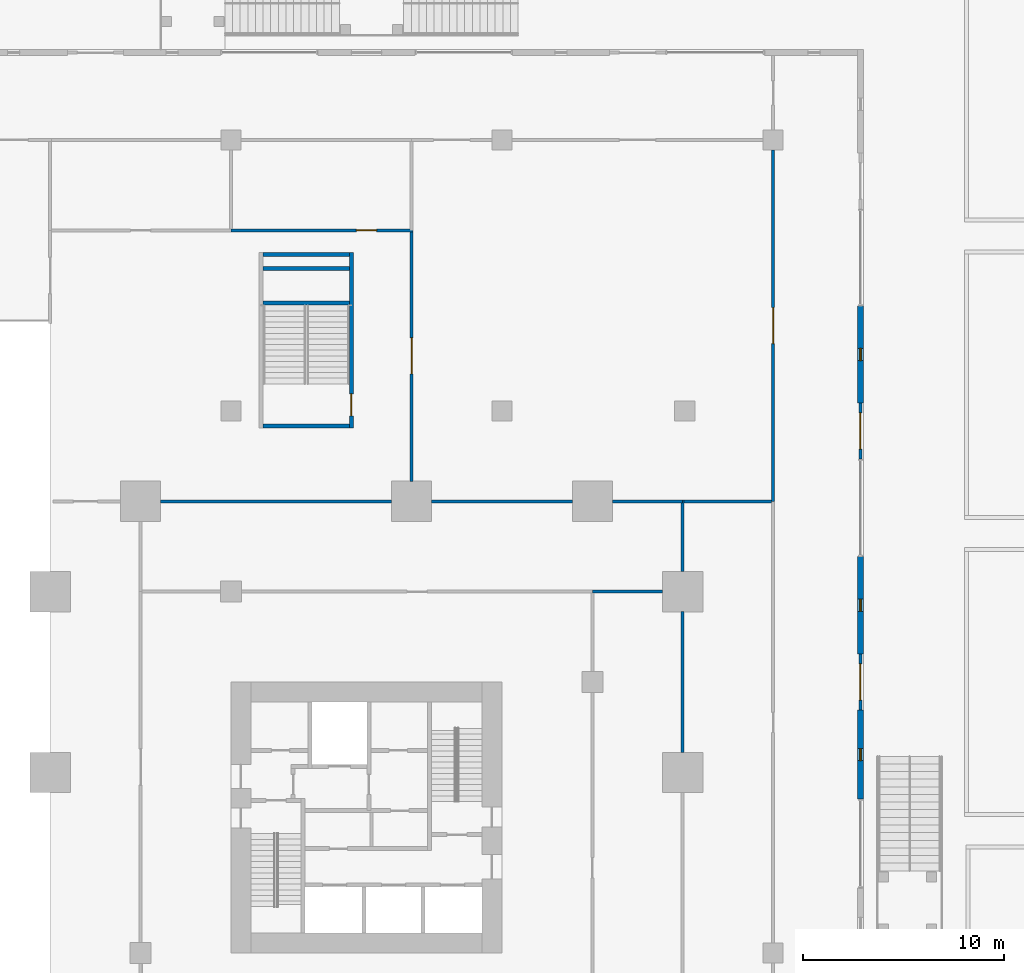
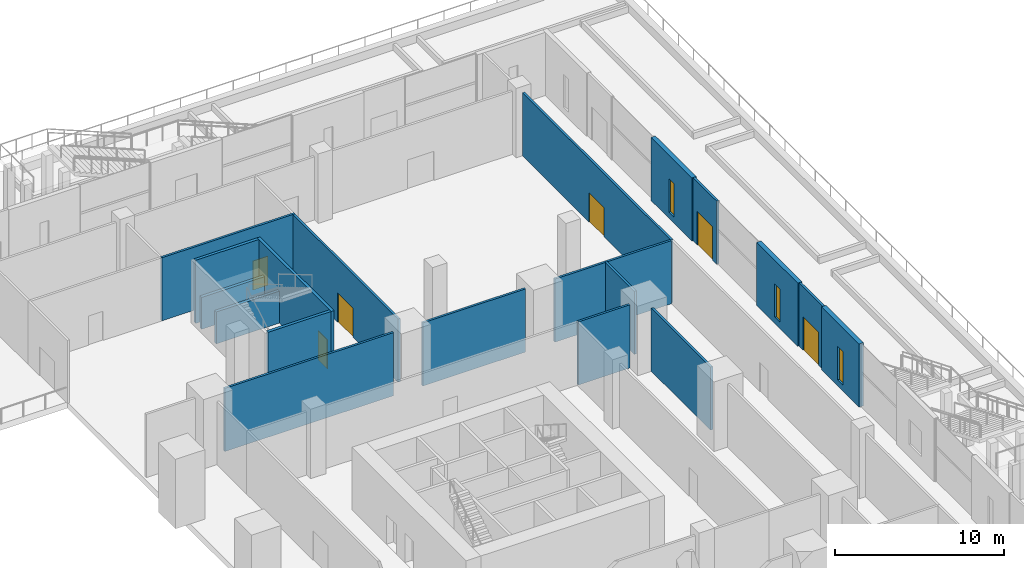
# One storey, part 37 of 49: 20 walls, 6 doors, 3 windows, 9 openings.
"""IFC4 building model written with IfcOpenShell, lengths in metres."""

import ifcopenshell
import ifcopenshell.guid

model = None  # the IFC model being written
_history = None  # IfcOwnerHistory: only IFC2X3 demands one
_inside = {}  # id of a spatial element -> (the spatial element, [elements in it])
_under = {}  # id of a project, library or spatial element -> (it, [spatial elements below it])
_declared = {}  # id of a project -> (the project, [libraries it declares])
_typed = {}  # id of a type object -> (the type object, [elements of that type])
_made_of = {}  # id of a material, layer set ... -> (it, [elements and type objects made of it])


def new_model(schema):
    """Start an empty IFC model of exactly this schema.

    Asked for "IFC4X3", IfcOpenShell would pick the latest addendum, in which some entities
    have other attributes; the version numbers below select the first issue.
    IFC2X3 requires an IfcOwnerHistory on every rooted entity: one is made here for all.
    """
    global model, _history
    if schema == "IFC4X3":
        model = ifcopenshell.file(schema_version=(4, 3, 0, 0))
    else:
        model = ifcopenshell.file(schema=schema)
    _inside.clear()
    _under.clear()
    _declared.clear()
    _typed.clear()
    _made_of.clear()
    _history = None
    if model.schema == "IFC2X3":
        org = make("IfcOrganization", Name="unknown")
        user = make(
            "IfcPersonAndOrganization",
            ThePerson=make("IfcPerson", FamilyName="unknown"),
            TheOrganization=org,
        )
        app = make(
            "IfcApplication",
            ApplicationDeveloper=org,
            Version="unknown",
            ApplicationFullName="unknown",
            ApplicationIdentifier="unknown",
        )
        _history = make(
            "IfcOwnerHistory",
            OwningUser=user,
            OwningApplication=app,
            ChangeAction="ADDED",
            CreationDate=0,
        )
    return model


def make(cls, **values):
    """One entity of the class cls with the attributes given. An attribute that is None is left unset."""
    return model.create_entity(
        cls, **{name: value for name, value in values.items() if value is not None}
    )


def rooted(cls, **values):
    """An entity with a GlobalId (a new one), such as an element, a storey or a relation."""
    return make(cls, GlobalId=ifcopenshell.guid.new(), OwnerHistory=_history, **values)


def si_unit(unit_type, name, prefix=None):
    """IfcSIUnit, for example si_unit("LENGTHUNIT", "METRE", prefix="MILLI")."""
    return make("IfcSIUnit", UnitType=unit_type, Prefix=prefix, Name=name)


def assignment(units):
    """IfcUnitAssignment: the units of a project."""
    return None if units is None else make("IfcUnitAssignment", Units=units)


def point(xyz):
    """IfcCartesianPoint."""
    return None if xyz is None else make("IfcCartesianPoint", Coordinates=xyz)


def direction(xyz):
    """IfcDirection."""
    return None if xyz is None else make("IfcDirection", DirectionRatios=xyz)


def frame(location, z_axis=None, x_axis=None):
    """IfcAxis2Placement3D, a coordinate frame: its origin and axes. An axis left out is left unset."""
    return make(
        "IfcAxis2Placement3D",
        Location=point(location),
        Axis=direction(z_axis),
        RefDirection=direction(x_axis),
    )


def frame_2d(location, x_axis=None):
    """IfcAxis2Placement2D, a coordinate frame in the plane: its origin and x axis."""
    return make(
        "IfcAxis2Placement2D", Location=point(location), RefDirection=direction(x_axis)
    )


def origin():
    """The frame at (0, 0, 0) with its axes left unset."""
    return frame((0.0, 0.0, 0.0))


def place(relative_to, where):
    """IfcLocalPlacement: puts the frame where relative to a parent placement (None: the world)."""
    return make(
        "IfcLocalPlacement", PlacementRelTo=relative_to, RelativePlacement=where
    )


def context(
    kind, dimensions, precision=None, world=None, true_north=None, identifier=None
):
    """IfcGeometricRepresentationContext, for example the 3D "Model" context."""
    return make(
        "IfcGeometricRepresentationContext",
        ContextIdentifier=identifier,
        ContextType=kind,
        CoordinateSpaceDimension=dimensions,
        Precision=precision,
        WorldCoordinateSystem=world,
        TrueNorth=true_north,
    )


def subcontext(parent, identifier, kind, view, scale=None):
    """IfcGeometricRepresentationSubContext, for example "Body" below "Model"."""
    return make(
        "IfcGeometricRepresentationSubContext",
        ContextIdentifier=identifier,
        ContextType=kind,
        ParentContext=parent,
        TargetScale=scale,
        TargetView=view,
    )


def project(units=None, contexts=None):
    """IfcProject with its units and contexts."""
    return rooted(
        "IfcProject",
        Name="project",
        RepresentationContexts=contexts,
        UnitsInContext=assignment(units),
    )


def spatial(cls, under=None, at=None, **own):
    """A site, building, storey or space (cls), placed at a placement, below another one or the project."""
    s = rooted(cls, ObjectPlacement=at, **own)
    if under is not None:
        _under.setdefault(under.id(), (under, []))[1].append(s)
    return s


def profile(cls, at=None, kind="AREA", **sizes):
    """A parametric profile (cls). Its sizes go by their IFC names, for example OverallWidth=200.0."""
    return make(cls, ProfileType=kind, Position=at, **sizes)


def rectangle(**sizes):
    """IfcRectangleProfileDef."""
    return profile("IfcRectangleProfileDef", **sizes)


def extrude(swept, where, along, depth):
    """IfcExtrudedAreaSolid: the profile swept, set in the frame where, extruded along a direction by depth."""
    return make(
        "IfcExtrudedAreaSolid",
        SweptArea=swept,
        Position=where,
        ExtrudedDirection=direction(along),
        Depth=depth,
    )


def shape(context_of_items, identifier, shape_type, items):
    """IfcShapeRepresentation: the items that make up one representation, for example the "Body"."""
    return make(
        "IfcShapeRepresentation",
        ContextOfItems=context_of_items,
        RepresentationIdentifier=identifier,
        RepresentationType=shape_type,
        Items=items,
    )


def material(Name=None, Category=None):
    """IfcMaterial."""
    return make("IfcMaterial", Name=Name, Category=Category)


def layer(
    of_material, thickness, ventilated=None, Name=None, Category=None, Priority=None
):
    """IfcMaterialLayer: one layer of a wall or slab, of a material (None: an air gap)."""
    return make(
        "IfcMaterialLayer",
        Material=of_material,
        LayerThickness=thickness,
        IsVentilated=ventilated,
        Name=Name,
        Category=Category,
        Priority=Priority,
    )


def layer_set(layers, Name=None):
    """IfcMaterialLayerSet."""
    return make("IfcMaterialLayerSet", MaterialLayers=layers, LayerSetName=Name)


def made_of(thing, what):
    """Note that an element or type object is made of a material, layer set ...; save() writes the relation."""
    if what is not None:
        _made_of.setdefault(what.id(), (what, []))[1].append(thing)
    return thing


def type_object(cls, material=None, **own):
    """A type object (cls), such as IfcWallType, which elements share."""
    return made_of(rooted(cls, **own), material)


def element(
    cls,
    number,
    at=None,
    inside=None,
    cuts=None,
    type_object=None,
    material=None,
    context=None,
    identifier="Body",
    shape_type=None,
    held_by="IfcProductDefinitionShape",
    body=None,
    shapes=None,
    **own,
):
    """One element of the class cls, such as IfcWall. Its Tag is "e" and its number.

    at: its placement. inside: the storey or other place that contains it. cuts: it is an
    opening in that element (IfcRelVoidsElement). A single representation is given by context,
    identifier, shape_type and body (its items); several are given by shapes. held_by: the class
    of the entity that holds the representations. save() writes the other relations.
    """
    e = rooted(cls, Tag="e%d" % number, ObjectPlacement=at, **own)
    if body is not None:
        shapes = [shape(context, identifier, shape_type, body)]
    if shapes is not None:
        e.Representation = make(held_by, Representations=shapes)
    if inside is not None:
        _inside.setdefault(inside.id(), (inside, []))[1].append(e)
    if cuts is not None:
        rooted(
            "IfcRelVoidsElement", RelatingBuildingElement=cuts, RelatedOpeningElement=e
        )
    if type_object is not None:
        _typed.setdefault(type_object.id(), (type_object, []))[1].append(e)
    return made_of(e, material)


def fill(opening, filler):
    """IfcRelFillsElement: the door or window that sits in an opening."""
    return rooted(
        "IfcRelFillsElement",
        RelatingOpeningElement=opening,
        RelatedBuildingElement=filler,
    )


def aggregate(whole, parts):
    """IfcRelAggregates: a whole, such as a stair, and the parts it consists of."""
    return rooted("IfcRelAggregates", RelatingObject=whole, RelatedObjects=parts)


def save(model, path):
    """Write the relations noted so far, then the file.

    IfcRelAggregates (storeys below a building ...), IfcRelContainedInSpatialStructure (elements
    in a storey), IfcRelDefinesByType, IfcRelAssociatesMaterial and IfcRelDeclares: one each for
    every whole, place, type object, material and project.
    """
    for whole, parts in _under.values():
        aggregate(whole, parts)
    for where, things in _inside.values():
        rooted(
            "IfcRelContainedInSpatialStructure",
            RelatedElements=things,
            RelatingStructure=where,
        )
    for kind, things in _typed.values():
        rooted("IfcRelDefinesByType", RelatedObjects=things, RelatingType=kind)
    for what, things in _made_of.values():
        rooted("IfcRelAssociatesMaterial", RelatedObjects=things, RelatingMaterial=what)
    for by, libraries in _declared.values():
        rooted("IfcRelDeclares", RelatingContext=by, RelatedDefinitions=libraries)
    model.write(path)


model = new_model("IFC4")

# Units and contexts
model_context = context("Model", 3, precision=1e-05, world=origin(), true_north=direction((0.0, 1.0)))
body_context = subcontext(model_context, "Body", "Model", "MODEL_VIEW")
ifc_project = project(units=[si_unit("LENGTHUNIT", "METRE"), si_unit("AREAUNIT", "SQUARE_METRE"), si_unit("VOLUMEUNIT", "CUBIC_METRE"), si_unit("PLANEANGLEUNIT", "RADIAN"), si_unit("MASSUNIT", "GRAM", prefix="KILO")], contexts=[model_context])

# Site, building, storey
site_placement = place(None, origin())
site = spatial("IfcSite", under=ifc_project, at=site_placement, CompositionType="ELEMENT")
building_placement = place(site_placement, origin())
building = spatial("IfcBuilding", under=site, at=building_placement, Name="Altepetl Exchange Towers", CompositionType="ELEMENT")
storey_placement = place(building_placement, frame((0.0, 0.0, 11.5)))
storey = spatial("IfcBuildingStorey", under=building, at=storey_placement, Name="L02 Exchange podium", CompositionType="ELEMENT", Elevation=11.5)

# Wall, opening, door
ifc_material_1 = material(Name="Aluminium composite cladding", Category="aluminium")
ifc_layer_1 = layer(ifc_material_1, 0.14990234375)
ifc_layer_set_1 = layer_set([ifc_layer_1], Name="Aluminium composite cladding")
wall_type_1 = type_object("IfcWallType", Name="Infill wall 150 aluminium panel", PredefinedType="SOLIDWALL", material=ifc_layer_set_1)
wall_1_placement = place(storey_placement, frame((134.85009765625, 48.10009765625, 0.0), z_axis=(0.0, 0.0, 1.0), x_axis=(0.0, 1.0, 0.0)))
wall_1 = element("IfcWall", 1, at=wall_1_placement, inside=storey, type_object=wall_type_1, Name="Door bay wall", PredefinedType="SOLIDWALL", context=body_context, shape_type="SweptSolid", body=[
    extrude(rectangle(XDim=2.7998046875, YDim=0.14990234375, at=frame_2d((1.39990234375, 0.0))), origin(), (0.0, 0.0, 1.0), 4.550048828125),
])
opening_1_placement = place(wall_1_placement, frame((0.5, 0.0, 0.0)))
opening_1 = element("IfcOpeningElement", 2, at=opening_1_placement, cuts=wall_1, Name="Opening L02.E08", PredefinedType="OPENING", context=body_context, shape_type="SweptSolid", body=[
    extrude(rectangle(XDim=1.800048828125, YDim=2.39990234375, at=frame_2d((0.89990234375, 1.199951171875))), frame((0.0, 0.0849609375, 0.0), z_axis=(0.0, -1.0, 0.0), x_axis=(1.0, 0.0, 0.0)), (0.0, 0.0, 1.0), 0.169921875),
])
ifc_material_2 = material(Name="Aluminium 6063-T6 and glass", Category="aluminium")
door_type_1 = type_object("IfcDoorType", Name="Glazed door pair 1800x2400", OperationType="DOUBLE_DOOR_DOUBLE_SWING", PredefinedType="NOTDEFINED", material=ifc_material_2)
door_1_placement = place(opening_1_placement, frame((1.800048828125, 0.0, 0.0), x_axis=(-1.0, 0.0, 0.0)))
door_1 = element("IfcDoor", 3, at=door_1_placement, inside=storey, type_object=door_type_1, Name="Terrace door", OperationType="DOUBLE_DOOR_DOUBLE_SWING", OverallHeight=2.39990234375, OverallWidth=1.800048828125, PredefinedType="NOTDEFINED", context=body_context, shape_type="SweptSolid", body=[
    extrude(rectangle(XDim=1.800048828125, YDim=2.39990234375, at=frame_2d((0.89990234375, 1.199951171875))), frame((0.0, 0.02490234375, 0.0), z_axis=(0.0, -1.0, 0.0), x_axis=(1.0, 0.0, 0.0)), (0.0, 0.0, 1.0), 0.050048828125),
])
fill(opening_1, door_1)

wall_2_placement = place(storey_placement, frame((134.85009765625, 60.60009765625, 0.0), z_axis=(0.0, 0.0, 1.0), x_axis=(0.0, 1.0, 0.0)))
wall_2 = element("IfcWall", 4, at=wall_2_placement, inside=storey, type_object=wall_type_1, Name="Door bay wall", PredefinedType="SOLIDWALL", context=body_context, shape_type="SweptSolid", body=[
    extrude(rectangle(XDim=2.7998046875, YDim=0.14990234375, at=frame_2d((1.39990234375, 0.0))), origin(), (0.0, 0.0, 1.0), 4.550048828125),
])
opening_2_placement = place(wall_2_placement, frame((0.5, 0.0, 0.0)))
opening_2 = element("IfcOpeningElement", 5, at=opening_2_placement, cuts=wall_2, Name="Opening L02.E09", PredefinedType="OPENING", context=body_context, shape_type="SweptSolid", body=[
    extrude(rectangle(XDim=1.800048828125, YDim=2.39990234375, at=frame_2d((0.89990234375, 1.199951171875))), frame((0.0, 0.0849609375, 0.0), z_axis=(0.0, -1.0, 0.0), x_axis=(1.0, 0.0, 0.0)), (0.0, 0.0, 1.0), 0.169921875),
])
door_2_placement = place(opening_2_placement, frame((1.800048828125, 0.0, 0.0), x_axis=(-1.0, 0.0, 0.0)))
door_2 = element("IfcDoor", 6, at=door_2_placement, inside=storey, type_object=door_type_1, Name="Terrace door", OperationType="DOUBLE_DOOR_DOUBLE_SWING", OverallHeight=2.39990234375, OverallWidth=1.800048828125, PredefinedType="NOTDEFINED", context=body_context, shape_type="SweptSolid", body=[
    extrude(rectangle(XDim=1.800048828125, YDim=2.39990234375, at=frame_2d((0.89990234375, 1.199951171875))), frame((0.0, 0.02490234375, 0.0), z_axis=(0.0, -1.0, 0.0), x_axis=(1.0, 0.0, 0.0)), (0.0, 0.0, 1.0), 0.050048828125),
])
fill(opening_2, door_2)

# Walls
ifc_material_3 = material(Name="Reinforced concrete C35/45", Category="concrete")
ifc_layer_2 = layer(ifc_material_3, 0.199951171875)
ifc_layer_set_2 = layer_set([ifc_layer_2], Name="Reinforced concrete C35/45")
wall_type_2 = type_object("IfcWallType", Name="Landing support wall 200", PredefinedType="SOLIDWALL", material=ifc_layer_set_2)
for number, where, name in (
    (7, (105.10009765625, 68.3701171875, 0.0), "wall:P:L02:PY1sup0"),
    (8, (105.10009765625, 70.10009765625, 0.0), "wall:P:L02:PY1sup1"),
):
    element("IfcWall", number, at=place(storey_placement, frame(where)), inside=storey, type_object=wall_type_2, Name=name, PredefinedType="SOLIDWALL", context=body_context, shape_type="SweptSolid", body=[
        extrude(rectangle(XDim=4.2998046875, YDim=0.199951171875, at=frame_2d((2.14990234375, 0.0))), origin(), (0.0, 0.0, 1.0), 2.300048828125),
    ])

# Wall, opening, door
ifc_material_4 = material(Name="Gypsum board on steel studs", Category="steel")
ifc_layer_3 = layer(ifc_material_4, 0.14990234375)
ifc_layer_set_3 = layer_set([ifc_layer_3], Name="Gypsum board on steel studs")
wall_type_3 = type_object("IfcWallType", Name="Podium partition 150", PredefinedType="PARTITIONING", material=ifc_layer_set_3)
wall_3_placement = place(storey_placement, frame((130.5, 58.5, 0.0), z_axis=(0.0, 0.0, 1.0), x_axis=(0.0, 1.0, 0.0)))
wall_3 = element("IfcWall", 9, at=wall_3_placement, inside=storey, type_object=wall_type_3, Name="wall:P:L02:P013", PredefinedType="PARTITIONING", context=body_context, shape_type="SweptSolid", body=[
    extrude(rectangle(XDim=17.5048828125, YDim=0.14990234375, at=frame_2d((8.75244140625, 0.0))), origin(), (0.0, 0.0, 1.0), 4.550048828125),
])
opening_3_placement = place(wall_3_placement, frame((7.85009765625, 0.0, 0.0)))
opening_3 = element("IfcOpeningElement", 10, at=opening_3_placement, cuts=wall_3, Name="Opening L02.P029", PredefinedType="OPENING", context=body_context, shape_type="SweptSolid", body=[
    extrude(rectangle(XDim=1.800048828125, YDim=2.10009765625, at=frame_2d((0.89990234375, 1.050048828125))), frame((0.0, 0.0849609375, 0.0), z_axis=(0.0, -1.0, 0.0), x_axis=(1.0, 0.0, 0.0)), (0.0, 0.0, 1.0), 0.169921875),
])
ifc_material_5 = material(Name="Glazed aluminium and steel", Category="steel")
door_type_2 = type_object("IfcDoorType", Name="Podium fire door 1800 x 2100 double leaf", OperationType="DOUBLE_DOOR_SINGLE_SWING", PredefinedType="DOOR", material=ifc_material_5)
door_3_placement = place(opening_3_placement, frame((1.800048828125, 0.0, 0.0), x_axis=(-1.0, 0.0, 0.0)))
door_3 = element("IfcDoor", 11, at=door_3_placement, inside=storey, type_object=door_type_2, Name="door:P:L02:029", OperationType="DOUBLE_DOOR_SINGLE_SWING", OverallHeight=2.10009765625, OverallWidth=1.800048828125, PredefinedType="DOOR", context=body_context, shape_type="SweptSolid", body=[
    extrude(rectangle(XDim=1.800048828125, YDim=2.10009765625, at=frame_2d((0.89990234375, 1.050048828125))), frame((0.0, 0.02490234375, 0.0), z_axis=(0.0, -1.0, 0.0), x_axis=(1.0, 0.0, 0.0)), (0.0, 0.0, 1.0), 0.050048828125),
])
fill(opening_3, door_3)

# Walls
wall_4_placement = place(storey_placement, frame((121.5, 54.0, 0.0)))
element("IfcWall", 12, at=wall_4_placement, inside=storey, type_object=wall_type_3, Name="wall:P:L02:P115", PredefinedType="PARTITIONING", context=body_context, shape_type="SweptSolid", body=[
    extrude(rectangle(XDim=3.5048828125, YDim=0.14990234375, at=frame_2d((1.75244140625, 0.0))), origin(), (0.0, 0.0, 1.0), 4.550048828125),
])
wall_5_placement = place(storey_placement, frame((126.0, 54.9951171875, 0.0), z_axis=(0.0, 0.0, 1.0), x_axis=(0.0, 1.0, 0.0)))
element("IfcWall", 13, at=wall_5_placement, inside=storey, type_object=wall_type_3, Name="wall:P:L02:P116", PredefinedType="PARTITIONING", context=body_context, shape_type="SweptSolid", body=[
    extrude(rectangle(XDim=3.579833984375, YDim=0.14990234375, at=frame_2d((1.7900390625, 0.0))), origin(), (0.0, 0.0, 1.0), 4.550048828125),
])
wall_6_placement = place(storey_placement, frame((99.9951171875, 58.5, 0.0)))
element("IfcWall", 14, at=wall_6_placement, inside=storey, type_object=wall_type_3, Name="wall:P:L02:P117", PredefinedType="PARTITIONING", context=body_context, shape_type="SweptSolid", body=[
    extrude(rectangle(XDim=11.509765625, YDim=0.14990234375, at=frame_2d((5.7548828125, 0.0))), origin(), (0.0, 0.0, 1.0), 4.550048828125),
])
wall_7_placement = place(storey_placement, frame((113.4951171875, 58.5, 0.0)))
element("IfcWall", 15, at=wall_7_placement, inside=storey, type_object=wall_type_3, Name="wall:P:L02:P118", PredefinedType="PARTITIONING", context=body_context, shape_type="SweptSolid", body=[
    extrude(rectangle(XDim=7.009765625, YDim=0.14990234375, at=frame_2d((3.5048828125, 0.0))), origin(), (0.0, 0.0, 1.0), 4.550048828125),
])
wall_8_placement = place(storey_placement, frame((122.4951171875, 58.5, 0.0)))
element("IfcWall", 16, at=wall_8_placement, inside=storey, type_object=wall_type_3, Name="wall:P:L02:P119", PredefinedType="PARTITIONING", context=body_context, shape_type="SweptSolid", body=[
    extrude(rectangle(XDim=3.5048828125, YDim=0.14990234375, at=frame_2d((1.75244140625, 0.0))), origin(), (0.0, 0.0, 1.0), 4.550048828125),
])
wall_9_placement = place(storey_placement, frame((126.0, 45.9951171875, 0.0), z_axis=(0.0, 0.0, 1.0), x_axis=(0.0, 1.0, 0.0)))
element("IfcWall", 17, at=wall_9_placement, inside=storey, type_object=wall_type_3, Name="wall:P:L02:P121", PredefinedType="PARTITIONING", context=body_context, shape_type="SweptSolid", body=[
    extrude(rectangle(XDim=7.009765625, YDim=0.14990234375, at=frame_2d((3.5048828125, 0.0))), origin(), (0.0, 0.0, 1.0), 4.550048828125),
])
wall_10_placement = place(storey_placement, frame((126.074951171875, 58.5, 0.0)))
element("IfcWall", 18, at=wall_10_placement, inside=storey, type_object=wall_type_3, Name="wall:P:L02:P124", PredefinedType="PARTITIONING", context=body_context, shape_type="SweptSolid", body=[
    extrude(rectangle(XDim=4.35009765625, YDim=0.14990234375, at=frame_2d((2.175048828125, 0.0))), origin(), (0.0, 0.0, 1.0), 4.550048828125),
])

# Wall, opening, door
wall_11_placement = place(storey_placement, frame((103.5, 72.0, 0.0)))
wall_11 = element("IfcWall", 19, at=wall_11_placement, inside=storey, type_object=wall_type_3, Name="wall:P:L02:P127", PredefinedType="PARTITIONING", context=body_context, shape_type="SweptSolid", body=[
    extrude(rectangle(XDim=9.074951171875, YDim=0.14990234375, at=frame_2d((4.53759765625, 0.0))), origin(), (0.0, 0.0, 1.0), 4.550048828125),
])
opening_4_placement = place(wall_11_placement, frame((6.25, 0.0, 0.0)))
opening_4 = element("IfcOpeningElement", 20, at=opening_4_placement, cuts=wall_11, Name="Opening L02.P020", PredefinedType="OPENING", context=body_context, shape_type="SweptSolid", body=[
    extrude(rectangle(XDim=1.0, YDim=2.10009765625, at=frame_2d((0.5, 1.050048828125))), frame((0.0, 0.0849609375, 0.0), z_axis=(0.0, -1.0, 0.0), x_axis=(1.0, 0.0, 0.0)), (0.0, 0.0, 1.0), 0.169921875),
])
ifc_material_6 = material(Name="Steel and timber fire door", Category="steel")
door_type_3 = type_object("IfcDoorType", Name="Podium fire door 1000 x 2100 single leaf", OperationType="SINGLE_SWING_LEFT", PredefinedType="DOOR", material=ifc_material_6)
door_4_placement = place(opening_4_placement, origin())
door_4 = element("IfcDoor", 21, at=door_4_placement, inside=storey, type_object=door_type_3, Name="door:P:L02:020", OperationType="SINGLE_SWING_RIGHT", OverallHeight=2.10009765625, OverallWidth=1.0, PredefinedType="DOOR", context=body_context, shape_type="SweptSolid", body=[
    extrude(rectangle(XDim=1.0, YDim=2.10009765625, at=frame_2d((0.5, 1.050048828125))), frame((0.0, 0.02490234375, 0.0), z_axis=(0.0, -1.0, 0.0), x_axis=(1.0, 0.0, 0.0)), (0.0, 0.0, 1.0), 0.050048828125),
])
fill(opening_4, door_4)

wall_12_placement = place(storey_placement, frame((112.5, 59.4951171875, 0.0), z_axis=(0.0, 0.0, 1.0), x_axis=(0.0, 1.0, 0.0)))
wall_12 = element("IfcWall", 22, at=wall_12_placement, inside=storey, type_object=wall_type_3, Name="wall:P:L02:P128", PredefinedType="PARTITIONING", context=body_context, shape_type="SweptSolid", body=[
    extrude(rectangle(XDim=12.429931640625, YDim=0.14990234375, at=frame_2d((6.21484375, 0.0))), origin(), (0.0, 0.0, 1.0), 4.550048828125),
])
opening_5_placement = place(wall_12_placement, frame((5.35009765625, 0.0, 0.0)))
opening_5 = element("IfcOpeningElement", 23, at=opening_5_placement, cuts=wall_12, Name="Opening L02.P047", PredefinedType="OPENING", context=body_context, shape_type="SweptSolid", body=[
    extrude(rectangle(XDim=1.800048828125, YDim=2.10009765625, at=frame_2d((0.89990234375, 1.050048828125))), frame((0.0, 0.0849609375, 0.0), z_axis=(0.0, -1.0, 0.0), x_axis=(1.0, 0.0, 0.0)), (0.0, 0.0, 1.0), 0.169921875),
])
door_5_placement = place(opening_5_placement, origin())
door_5 = element("IfcDoor", 24, at=door_5_placement, inside=storey, type_object=door_type_2, Name="door:P:L02:047", OperationType="DOUBLE_DOOR_SINGLE_SWING", OverallHeight=2.10009765625, OverallWidth=1.800048828125, PredefinedType="DOOR", context=body_context, shape_type="SweptSolid", body=[
    extrude(rectangle(XDim=1.800048828125, YDim=2.10009765625, at=frame_2d((0.89990234375, 1.050048828125))), frame((0.0, 0.02490234375, 0.0), z_axis=(0.0, -1.0, 0.0), x_axis=(1.0, 0.0, 0.0)), (0.0, 0.0, 1.0), 0.050048828125),
])
fill(opening_5, door_5)

ifc_layer_4 = layer(ifc_material_3, 0.199951171875)
ifc_layer_set_4 = layer_set([ifc_layer_4], Name="Reinforced concrete C35/45")
wall_type_4 = type_object("IfcWallType", Name="Stair enclosure wall 200", PredefinedType="SOLIDWALL", material=ifc_layer_set_4)
wall_13_placement = place(storey_placement, frame((109.5, 62.14990234375, 0.0), z_axis=(0.0, 0.0, 1.0), x_axis=(0.0, 1.0, 0.0)))
wall_13 = element("IfcWall", 25, at=wall_13_placement, inside=storey, type_object=wall_type_4, Name="wall:P:L02:P130", PredefinedType="SOLIDWALL", context=body_context, shape_type="SweptSolid", body=[
    extrude(rectangle(XDim=8.75, YDim=0.199951171875, at=frame_2d((4.375, 0.0))), origin(), (0.0, 0.0, 1.0), 4.550048828125),
])
opening_6_placement = place(wall_13_placement, frame((0.60009765625, 0.0, 0.0)))
opening_6 = element("IfcOpeningElement", 26, at=opening_6_placement, cuts=wall_13, Name="Opening L02.P024", PredefinedType="OPENING", context=body_context, shape_type="SweptSolid", body=[
    extrude(rectangle(XDim=1.10009765625, YDim=2.10009765625, at=frame_2d((0.550048828125, 1.050048828125))), frame((0.0, 0.10986328125, 0.0), z_axis=(0.0, -1.0, 0.0), x_axis=(1.0, 0.0, 0.0)), (0.0, 0.0, 1.0), 0.219970703125),
])
ifc_material_7 = material(Name="Steel fire door", Category="steel")
door_type_4 = type_object("IfcDoorType", Name="Podium fire door 1100 x 2100 single leaf", OperationType="SINGLE_SWING_LEFT", PredefinedType="DOOR", material=ifc_material_7)
door_6_placement = place(opening_6_placement, frame((1.10009765625, 0.0, 0.0), x_axis=(-1.0, 0.0, 0.0)))
door_6 = element("IfcDoor", 27, at=door_6_placement, inside=storey, type_object=door_type_4, Name="door:P:L02:024", OperationType="SINGLE_SWING_LEFT", OverallHeight=2.10009765625, OverallWidth=1.10009765625, PredefinedType="DOOR", context=body_context, shape_type="SweptSolid", body=[
    extrude(rectangle(XDim=1.10009765625, YDim=2.10009765625, at=frame_2d((0.550048828125, 1.050048828125))), frame((0.0, 0.02490234375, 0.0), z_axis=(0.0, -1.0, 0.0), x_axis=(1.0, 0.0, 0.0)), (0.0, 0.0, 1.0), 0.050048828125),
])
fill(opening_6, door_6)

# Walls
for number, where, name in (
    (28, (105.10009765625, 62.25, 0.0), "wall:P:L02:P131"),
    (29, (105.10009765625, 70.800048828125, 0.0), "wall:P:L02:P132"),
):
    element("IfcWall", number, at=place(storey_placement, frame(where)), inside=storey, type_object=wall_type_4, Name=name, PredefinedType="SOLIDWALL", context=body_context, shape_type="SweptSolid", body=[
        extrude(rectangle(XDim=4.2998046875, YDim=0.199951171875, at=frame_2d((2.14990234375, 0.0))), origin(), (0.0, 0.0, 1.0), 4.550048828125),
    ])

# Wall, opening, window
ifc_material_8 = material(Name="Cantera limestone cladding", Category="masonry")
ifc_layer_5 = layer(ifc_material_8, 0.300048828125)
ifc_layer_set_5 = layer_set([ifc_layer_5], Name="Cantera limestone cladding")
wall_type_5 = type_object("IfcWallType", Name="Stone wall panel 300", PredefinedType="ELEMENTEDWALL", material=ifc_layer_set_5)
wall_14_placement = place(storey_placement, frame((134.85009765625, 43.669921875, 0.0), z_axis=(0.0, 0.0, 1.0), x_axis=(0.0, 1.0, 0.0)))
wall_14 = element("IfcWall", 30, at=wall_14_placement, inside=storey, type_object=wall_type_5, Name="Stone wall panel", PredefinedType="ELEMENTEDWALL", context=body_context, shape_type="SweptSolid", body=[
    extrude(rectangle(XDim=4.43017578125, YDim=0.300048828125, at=frame_2d((2.215087890625, 0.0))), origin(), (0.0, 0.0, 1.0), 4.550048828125),
])
opening_7_placement = place(wall_14_placement, frame((1.9150390625, 0.0, 0.449951171875)))
opening_7 = element("IfcOpeningElement", 31, at=opening_7_placement, cuts=wall_14, Name="Opening W3", PredefinedType="OPENING", context=body_context, shape_type="SweptSolid", body=[
    extrude(rectangle(XDim=0.60009765625, YDim=2.39990234375, at=frame_2d((0.300048828125, 1.199951171875))), frame((0.0, 0.16015625, 0.0), z_axis=(0.0, -1.0, 0.0), x_axis=(1.0, 0.0, 0.0)), (0.0, 0.0, 1.0), 0.320068359375),
])
window_type = type_object("IfcWindowType", Name="Tall slot window 600x2400", PartitioningType="SINGLE_PANEL", PredefinedType="WINDOW", material=ifc_material_2)
window_1_placement = place(opening_7_placement, origin())
window_1 = element("IfcWindow", 32, at=window_1_placement, inside=storey, type_object=window_type, Name="Window", OverallHeight=2.39990234375, OverallWidth=0.60009765625, PartitioningType="SINGLE_PANEL", PredefinedType="WINDOW", context=body_context, shape_type="SweptSolid", body=[
    extrude(rectangle(XDim=0.60009765625, YDim=2.39990234375, at=frame_2d((0.300048828125, 1.199951171875))), frame((0.0, 0.030029296875, 0.0), z_axis=(0.0, -1.0, 0.0), x_axis=(1.0, 0.0, 0.0)), (0.0, 0.0, 1.0), 0.06005859375),
])
fill(opening_7, window_1)

wall_15_placement = place(storey_placement, frame((134.85009765625, 50.89990234375, 0.0), z_axis=(0.0, 0.0, 1.0), x_axis=(0.0, 1.0, 0.0)))
wall_15 = element("IfcWall", 33, at=wall_15_placement, inside=storey, type_object=wall_type_5, Name="Stone wall panel", PredefinedType="ELEMENTEDWALL", context=body_context, shape_type="SweptSolid", body=[
    extrude(rectangle(XDim=4.85009765625, YDim=0.300048828125, at=frame_2d((2.425048828125, 0.0))), origin(), (0.0, 0.0, 1.0), 4.550048828125),
])
opening_8_placement = place(wall_15_placement, frame((2.125, 0.0, 0.449951171875)))
opening_8 = element("IfcOpeningElement", 34, at=opening_8_placement, cuts=wall_15, Name="Opening W3", PredefinedType="OPENING", context=body_context, shape_type="SweptSolid", body=[
    extrude(rectangle(XDim=0.60009765625, YDim=2.39990234375, at=frame_2d((0.300048828125, 1.199951171875))), frame((0.0, 0.16015625, 0.0), z_axis=(0.0, -1.0, 0.0), x_axis=(1.0, 0.0, 0.0)), (0.0, 0.0, 1.0), 0.320068359375),
])
window_2_placement = place(opening_8_placement, origin())
window_2 = element("IfcWindow", 35, at=window_2_placement, inside=storey, type_object=window_type, Name="Window", OverallHeight=2.39990234375, OverallWidth=0.60009765625, PartitioningType="SINGLE_PANEL", PredefinedType="WINDOW", context=body_context, shape_type="SweptSolid", body=[
    extrude(rectangle(XDim=0.60009765625, YDim=2.39990234375, at=frame_2d((0.300048828125, 1.199951171875))), frame((0.0, 0.030029296875, 0.0), z_axis=(0.0, -1.0, 0.0), x_axis=(1.0, 0.0, 0.0)), (0.0, 0.0, 1.0), 0.06005859375),
])
fill(opening_8, window_2)

wall_16_placement = place(storey_placement, frame((134.85009765625, 63.39990234375, 0.0), z_axis=(0.0, 0.0, 1.0), x_axis=(0.0, 1.0, 0.0)))
wall_16 = element("IfcWall", 36, at=wall_16_placement, inside=storey, type_object=wall_type_5, Name="Stone wall panel", PredefinedType="ELEMENTEDWALL", context=body_context, shape_type="SweptSolid", body=[
    extrude(rectangle(XDim=4.8251953125, YDim=0.300048828125, at=frame_2d((2.41259765625, 0.0))), origin(), (0.0, 0.0, 1.0), 4.550048828125),
])
opening_9_placement = place(wall_16_placement, frame((2.112548828125, 0.0, 0.449951171875)))
opening_9 = element("IfcOpeningElement", 37, at=opening_9_placement, cuts=wall_16, Name="Opening W3", PredefinedType="OPENING", context=body_context, shape_type="SweptSolid", body=[
    extrude(rectangle(XDim=0.60009765625, YDim=2.39990234375, at=frame_2d((0.300048828125, 1.199951171875))), frame((0.0, 0.16015625, 0.0), z_axis=(0.0, -1.0, 0.0), x_axis=(1.0, 0.0, 0.0)), (0.0, 0.0, 1.0), 0.320068359375),
])
window_3_placement = place(opening_9_placement, origin())
window_3 = element("IfcWindow", 38, at=window_3_placement, inside=storey, type_object=window_type, Name="Window", OverallHeight=2.39990234375, OverallWidth=0.60009765625, PartitioningType="SINGLE_PANEL", PredefinedType="WINDOW", context=body_context, shape_type="SweptSolid", body=[
    extrude(rectangle(XDim=0.60009765625, YDim=2.39990234375, at=frame_2d((0.300048828125, 1.199951171875))), frame((0.0, 0.030029296875, 0.0), z_axis=(0.0, -1.0, 0.0), x_axis=(1.0, 0.0, 0.0)), (0.0, 0.0, 1.0), 0.06005859375),
])
fill(opening_9, window_3)

save(model, "model.ifc")
